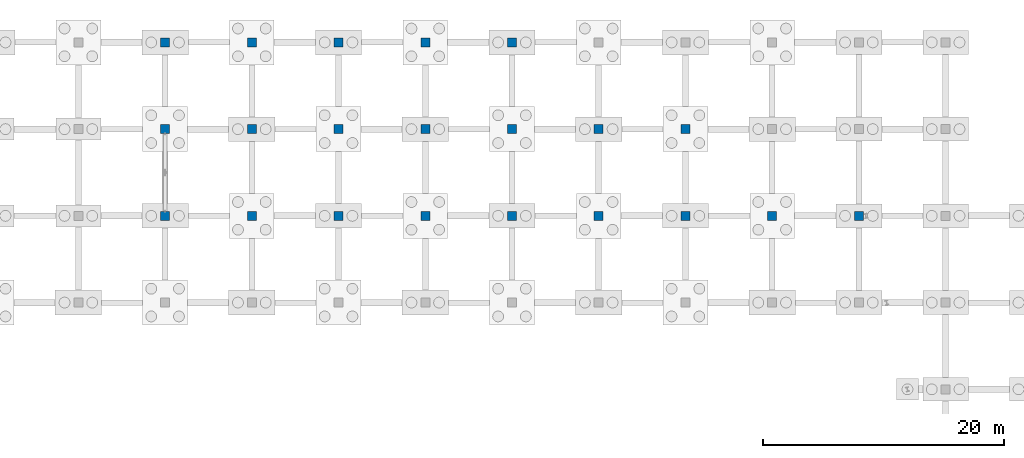
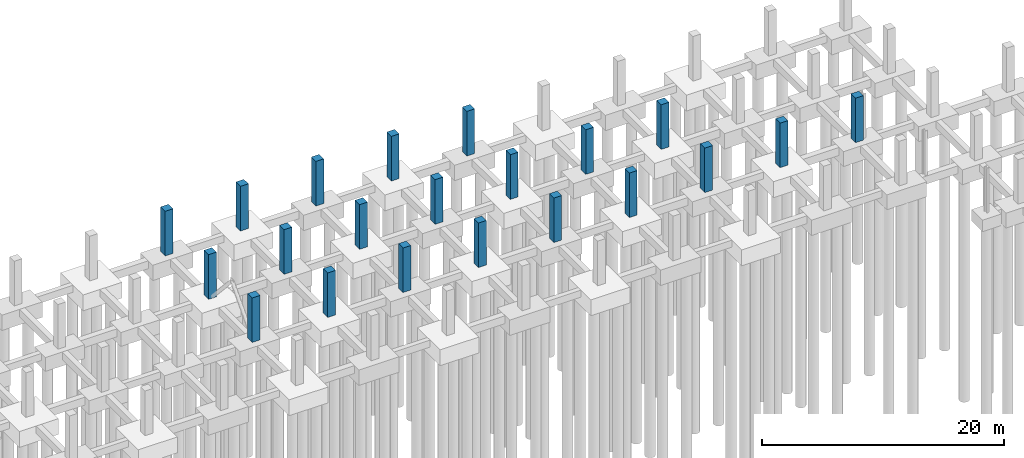
# One storey, part 17 of 36: 21 columns.
"""IFC4 building model written with IfcOpenShell, lengths in metres."""

from ifc_helpers import new_model, si_unit, direction, frame, origin, origin_2d, place, context, subcontext, project, spatial, rectangle, extrude, material, material_profile, profile_set, type_object, element, save


model = new_model("IFC4")

# Units and contexts
model_context = context("Model", 3, precision=1e-05, world=origin(), true_north=direction((0.0, 1.0)))
body_context = subcontext(model_context, "Body", "Model", "MODEL_VIEW")
ifc_project = project(units=[si_unit("LENGTHUNIT", "METRE"), si_unit("AREAUNIT", "SQUARE_METRE"), si_unit("VOLUMEUNIT", "CUBIC_METRE"), si_unit("PLANEANGLEUNIT", "RADIAN"), si_unit("MASSUNIT", "GRAM", prefix="KILO")], contexts=[model_context])

# Site, building, storey
site_placement = place(None, origin())
site = spatial("IfcSite", under=ifc_project, at=site_placement, CompositionType="ELEMENT")
building_placement = place(site_placement, origin())
building = spatial("IfcBuilding", under=site, at=building_placement, Name="Kalmorath City Hall", CompositionType="ELEMENT")
storey_placement = place(building_placement, frame((0.0, 0.0, -4.5)))
storey = spatial("IfcBuildingStorey", under=building, at=storey_placement, Name="B1", CompositionType="ELEMENT", Elevation=-4.5)

# Columns
ifc_material = material(Name="Concrete C50/60", Category="concrete")
ifc_material_profile = material_profile(ifc_material, rectangle(XDim=0.75, YDim=0.75, at=origin_2d()), Name="RC-COL-750X750")
ifc_profile_set = profile_set([ifc_material_profile], Name="Concrete C50/60")
column_type = type_object("IfcColumnType", Name="Concrete column 750x750", PredefinedType="COLUMN", material=ifc_profile_set)
for number, where, z_axis, x_axis, name in (
    (1, (64.800048828125, 100.800048828125, 0.0), (0.0, 0.0, 1.0), (1.0, 0.0, 0.0), "B1 column C3 (10/15)"),
    (2, (64.800048828125, 108.0, 0.0), (0.0, 0.0, 1.0), (1.0, 0.0, 0.0), "B1 column C3 (10/16)"),
    (3, (64.800048828125, 115.199951171875, 0.0), (0.0, 0.0, 1.0), (1.0, 0.0, 0.0), "B1 column C3 (10/17)"),
    (4, (72.0, 100.800048828125, 0.0), (0.0, 0.0, 1.0), (1.0, 0.0, 0.0), "B1 column C3 (11/15)"),
    (5, (72.0, 108.0, 0.0), (0.0, 0.0, 1.0), (1.0, 0.0, 0.0), "B1 column C3 (11/16)"),
    (6, (72.0, 115.199951171875, 0.0), (0.0, 0.0, 1.0), (1.0, 0.0, 0.0), "B1 column C3 (11/17)"),
    (7, (79.199951171875, 100.800048828125, 0.0), (0.0, 0.0, 1.0), (1.0, 0.0, 0.0), "B1 column C3 (12/15)"),
    (8, (79.199951171875, 108.0, 0.0), (0.0, 0.0, 1.0), (1.0, 0.0, 0.0), "B1 column C3 (12/16)"),
    (9, (79.199951171875, 115.199951171875, 0.0), (0.0, 0.0, 1.0), (1.0, 0.0, 0.0), "B1 column C3 (12/17)"),
    (10, (86.39990234375, 100.800048828125, 0.0), (0.0, 0.0, 1.0), (1.0, 0.0, 0.0), "B1 column C3 (13/15)"),
    (11, (86.39990234375, 108.0, 0.0), (0.0, 0.0, 1.0), (1.0, 0.0, 0.0), "B1 column C3 (13/16)"),
    (12, (86.39990234375, 115.199951171875, 0.0), (0.0, 0.0, 1.0), (1.0, 0.0, 0.0), "B1 column C3 (13/17)"),
    (13, (93.60009765625, 100.800048828125, 0.0), (0.0, 0.0, 1.0), (1.0, 0.0, 0.0), "B1 column C3 (14/15)"),
    (14, (93.60009765625, 108.0, 0.0), (0.0, 0.0, 1.0), (1.0, 0.0, 0.0), "B1 column C3 (14/16)"),
    (15, (93.60009765625, 115.199951171875, 0.0), (0.0, 0.0, 1.0), (1.0, 0.0, 0.0), "B1 column C3 (14/17)"),
    (16, (100.800048828125, 100.800048828125, 0.0), (0.0, 0.0, 1.0), (1.0, 0.0, 0.0), "B1 column C3 (15/15)"),
    (17, (100.800048828125, 108.0, 0.0), (0.0, 0.0, 1.0), (1.0, 0.0, 0.0), "B1 column C3 (15/16)"),
    (18, (108.0, 100.800048828125, 0.0), (0.0, 0.0, 1.0), (1.0, 0.0, 0.0), "B1 column C3 (16/15)"),
    (19, (108.0, 108.0, 0.0), (0.0, 0.0, 1.0), (1.0, 0.0, 0.0), "B1 column C3 (16/16)"),
    (20, (115.199951171875, 100.800048828125, 0.0), (0.0, 0.0, 1.0), (1.0, 0.0, 0.0), "B1 column C3 (17/15)"),
    (21, (122.39990234375, 100.800048828125, 0.0), (0.0, 0.0, 1.0), (1.0, 0.0, 0.0), "B1 column C3 (18/15)"),
):
    element("IfcColumn", number, at=place(storey_placement, frame(where, z_axis=z_axis, x_axis=x_axis)), inside=storey, type_object=column_type, Name=name, PredefinedType="COLUMN", context=body_context, shape_type="SweptSolid", body=[
        extrude(rectangle(XDim=0.75, YDim=0.75, at=origin_2d()), origin(), (0.0, 0.0, 1.0), 4.5),
    ])

save(model, "model.ifc")
